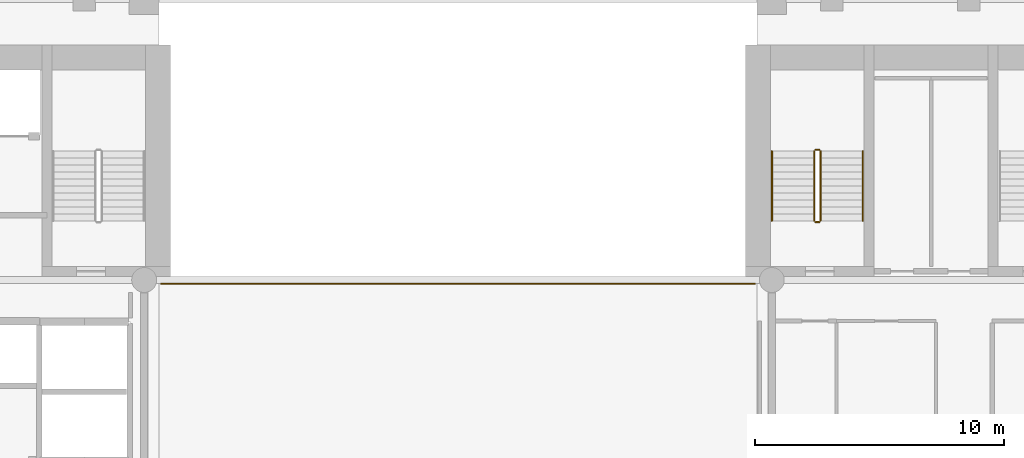
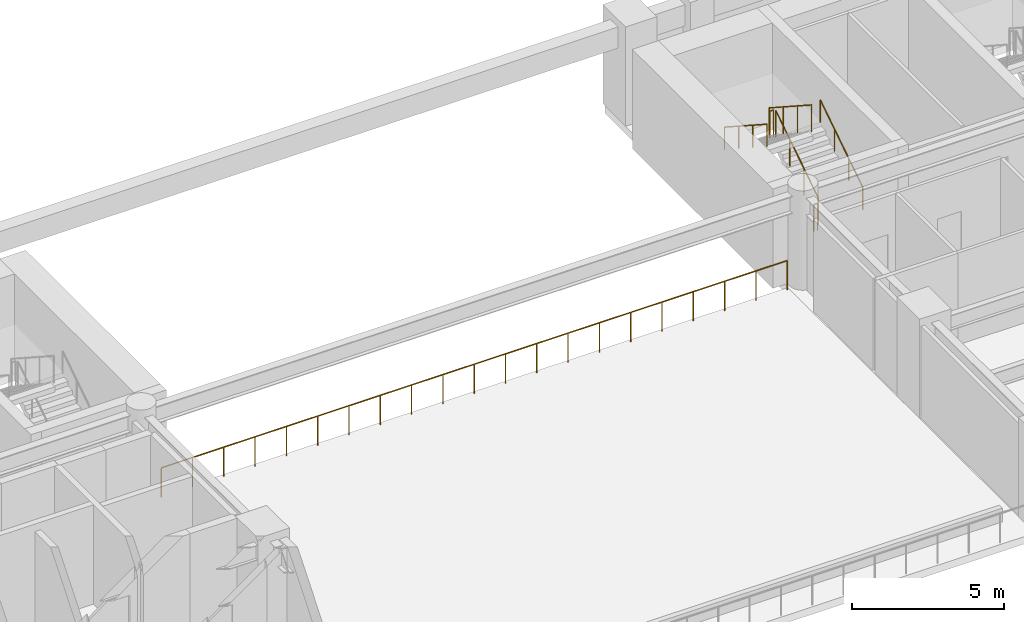
# One storey, part 11 of 12: 7 railings.
"""IFC4 building model written with IfcOpenShell, lengths in metres."""

import ifcopenshell
import ifcopenshell.guid

model = None  # the IFC model being written
_history = None  # IfcOwnerHistory: only IFC2X3 demands one
_inside = {}  # id of a spatial element -> (the spatial element, [elements in it])
_under = {}  # id of a project, library or spatial element -> (it, [spatial elements below it])
_declared = {}  # id of a project -> (the project, [libraries it declares])
_typed = {}  # id of a type object -> (the type object, [elements of that type])
_made_of = {}  # id of a material, layer set ... -> (it, [elements and type objects made of it])


def new_model(schema):
    """Start an empty IFC model of exactly this schema.

    Asked for "IFC4X3", IfcOpenShell would pick the latest addendum, in which some entities
    have other attributes; the version numbers below select the first issue.
    IFC2X3 requires an IfcOwnerHistory on every rooted entity: one is made here for all.
    """
    global model, _history
    if schema == "IFC4X3":
        model = ifcopenshell.file(schema_version=(4, 3, 0, 0))
    else:
        model = ifcopenshell.file(schema=schema)
    _inside.clear()
    _under.clear()
    _declared.clear()
    _typed.clear()
    _made_of.clear()
    _history = None
    if model.schema == "IFC2X3":
        org = make("IfcOrganization", Name="unknown")
        user = make(
            "IfcPersonAndOrganization",
            ThePerson=make("IfcPerson", FamilyName="unknown"),
            TheOrganization=org,
        )
        app = make(
            "IfcApplication",
            ApplicationDeveloper=org,
            Version="unknown",
            ApplicationFullName="unknown",
            ApplicationIdentifier="unknown",
        )
        _history = make(
            "IfcOwnerHistory",
            OwningUser=user,
            OwningApplication=app,
            ChangeAction="ADDED",
            CreationDate=0,
        )
    return model


def make(cls, **values):
    """One entity of the class cls with the attributes given. An attribute that is None is left unset."""
    return model.create_entity(
        cls, **{name: value for name, value in values.items() if value is not None}
    )


def rooted(cls, **values):
    """An entity with a GlobalId (a new one), such as an element, a storey or a relation."""
    return make(cls, GlobalId=ifcopenshell.guid.new(), OwnerHistory=_history, **values)


def si_unit(unit_type, name, prefix=None):
    """IfcSIUnit, for example si_unit("LENGTHUNIT", "METRE", prefix="MILLI")."""
    return make("IfcSIUnit", UnitType=unit_type, Prefix=prefix, Name=name)


def assignment(units):
    """IfcUnitAssignment: the units of a project."""
    return None if units is None else make("IfcUnitAssignment", Units=units)


def point(xyz):
    """IfcCartesianPoint."""
    return None if xyz is None else make("IfcCartesianPoint", Coordinates=xyz)


def direction(xyz):
    """IfcDirection."""
    return None if xyz is None else make("IfcDirection", DirectionRatios=xyz)


def frame(location, z_axis=None, x_axis=None):
    """IfcAxis2Placement3D, a coordinate frame: its origin and axes. An axis left out is left unset."""
    return make(
        "IfcAxis2Placement3D",
        Location=point(location),
        Axis=direction(z_axis),
        RefDirection=direction(x_axis),
    )


def frame_2d(location, x_axis=None):
    """IfcAxis2Placement2D, a coordinate frame in the plane: its origin and x axis."""
    return make(
        "IfcAxis2Placement2D", Location=point(location), RefDirection=direction(x_axis)
    )


def origin():
    """The frame at (0, 0, 0) with its axes left unset."""
    return frame((0.0, 0.0, 0.0))


def origin_2d():
    """The frame at (0, 0) in the plane with its x axis left unset."""
    return frame_2d((0.0, 0.0))


def place(relative_to, where):
    """IfcLocalPlacement: puts the frame where relative to a parent placement (None: the world)."""
    return make(
        "IfcLocalPlacement", PlacementRelTo=relative_to, RelativePlacement=where
    )


def context(
    kind, dimensions, precision=None, world=None, true_north=None, identifier=None
):
    """IfcGeometricRepresentationContext, for example the 3D "Model" context."""
    return make(
        "IfcGeometricRepresentationContext",
        ContextIdentifier=identifier,
        ContextType=kind,
        CoordinateSpaceDimension=dimensions,
        Precision=precision,
        WorldCoordinateSystem=world,
        TrueNorth=true_north,
    )


def subcontext(parent, identifier, kind, view, scale=None):
    """IfcGeometricRepresentationSubContext, for example "Body" below "Model"."""
    return make(
        "IfcGeometricRepresentationSubContext",
        ContextIdentifier=identifier,
        ContextType=kind,
        ParentContext=parent,
        TargetScale=scale,
        TargetView=view,
    )


def project(units=None, contexts=None):
    """IfcProject with its units and contexts."""
    return rooted(
        "IfcProject",
        Name="project",
        RepresentationContexts=contexts,
        UnitsInContext=assignment(units),
    )


def spatial(cls, under=None, at=None, **own):
    """A site, building, storey or space (cls), placed at a placement, below another one or the project."""
    s = rooted(cls, ObjectPlacement=at, **own)
    if under is not None:
        _under.setdefault(under.id(), (under, []))[1].append(s)
    return s


def profile(cls, at=None, kind="AREA", **sizes):
    """A parametric profile (cls). Its sizes go by their IFC names, for example OverallWidth=200.0."""
    return make(cls, ProfileType=kind, Position=at, **sizes)


def circle(**sizes):
    """IfcCircleProfileDef."""
    return profile("IfcCircleProfileDef", **sizes)


def extrude(swept, where, along, depth):
    """IfcExtrudedAreaSolid: the profile swept, set in the frame where, extruded along a direction by depth."""
    return make(
        "IfcExtrudedAreaSolid",
        SweptArea=swept,
        Position=where,
        ExtrudedDirection=direction(along),
        Depth=depth,
    )


def shape(context_of_items, identifier, shape_type, items):
    """IfcShapeRepresentation: the items that make up one representation, for example the "Body"."""
    return make(
        "IfcShapeRepresentation",
        ContextOfItems=context_of_items,
        RepresentationIdentifier=identifier,
        RepresentationType=shape_type,
        Items=items,
    )


def material(Name=None, Category=None):
    """IfcMaterial."""
    return make("IfcMaterial", Name=Name, Category=Category)


def made_of(thing, what):
    """Note that an element or type object is made of a material, layer set ...; save() writes the relation."""
    if what is not None:
        _made_of.setdefault(what.id(), (what, []))[1].append(thing)
    return thing


def type_object(cls, material=None, **own):
    """A type object (cls), such as IfcWallType, which elements share."""
    return made_of(rooted(cls, **own), material)


def element(
    cls,
    number,
    at=None,
    inside=None,
    cuts=None,
    type_object=None,
    material=None,
    context=None,
    identifier="Body",
    shape_type=None,
    held_by="IfcProductDefinitionShape",
    body=None,
    shapes=None,
    **own,
):
    """One element of the class cls, such as IfcWall. Its Tag is "e" and its number.

    at: its placement. inside: the storey or other place that contains it. cuts: it is an
    opening in that element (IfcRelVoidsElement). A single representation is given by context,
    identifier, shape_type and body (its items); several are given by shapes. held_by: the class
    of the entity that holds the representations. save() writes the other relations.
    """
    e = rooted(cls, Tag="e%d" % number, ObjectPlacement=at, **own)
    if body is not None:
        shapes = [shape(context, identifier, shape_type, body)]
    if shapes is not None:
        e.Representation = make(held_by, Representations=shapes)
    if inside is not None:
        _inside.setdefault(inside.id(), (inside, []))[1].append(e)
    if cuts is not None:
        rooted(
            "IfcRelVoidsElement", RelatingBuildingElement=cuts, RelatedOpeningElement=e
        )
    if type_object is not None:
        _typed.setdefault(type_object.id(), (type_object, []))[1].append(e)
    return made_of(e, material)


def aggregate(whole, parts):
    """IfcRelAggregates: a whole, such as a stair, and the parts it consists of."""
    return rooted("IfcRelAggregates", RelatingObject=whole, RelatedObjects=parts)


def save(model, path):
    """Write the relations noted so far, then the file.

    IfcRelAggregates (storeys below a building ...), IfcRelContainedInSpatialStructure (elements
    in a storey), IfcRelDefinesByType, IfcRelAssociatesMaterial and IfcRelDeclares: one each for
    every whole, place, type object, material and project.
    """
    for whole, parts in _under.values():
        aggregate(whole, parts)
    for where, things in _inside.values():
        rooted(
            "IfcRelContainedInSpatialStructure",
            RelatedElements=things,
            RelatingStructure=where,
        )
    for kind, things in _typed.values():
        rooted("IfcRelDefinesByType", RelatedObjects=things, RelatingType=kind)
    for what, things in _made_of.values():
        rooted("IfcRelAssociatesMaterial", RelatedObjects=things, RelatingMaterial=what)
    for by, libraries in _declared.values():
        rooted("IfcRelDeclares", RelatingContext=by, RelatedDefinitions=libraries)
    model.write(path)


model = new_model("IFC4")

# Units and contexts
model_context = context("Model", 3, precision=1e-05, world=origin(), true_north=direction((0.0, 1.0)))
body_context = subcontext(model_context, "Body", "Model", "MODEL_VIEW")
ifc_project = project(units=[si_unit("LENGTHUNIT", "METRE"), si_unit("AREAUNIT", "SQUARE_METRE"), si_unit("VOLUMEUNIT", "CUBIC_METRE"), si_unit("PLANEANGLEUNIT", "RADIAN"), si_unit("MASSUNIT", "GRAM", prefix="KILO")], contexts=[model_context])

# Site, building, storey
site_placement = place(None, origin())
site = spatial("IfcSite", under=ifc_project, at=site_placement, CompositionType="ELEMENT")
building_placement = place(site_placement, origin())
building = spatial("IfcBuilding", under=site, at=building_placement, Name="Sulina Concourse Tower", CompositionType="ELEMENT")
storey_placement = place(building_placement, frame((0.0, 0.0, 38.60009765625)))
storey = spatial("IfcBuildingStorey", under=building, at=storey_placement, Name="L09", CompositionType="ELEMENT", Elevation=38.60009765625)

# Railings
ifc_material_1 = material(Name="Galvanised steel railing", Category="steel")
railing_type_1 = type_object("IfcRailingType", Name="Core Stair Steel Guardrail 1150mm", PredefinedType="GUARDRAIL", material=ifc_material_1)
railing_1_placement = place(storey_placement, frame((43.554931640625, 36.375, 0.181640625)))
element("IfcRailing", 1, at=railing_1_placement, inside=storey, type_object=railing_type_1, Name="L09 ST-3 stair guard 1", PredefinedType="GUARDRAIL", context=body_context, shape_type="SweptSolid", body=[
    extrude(circle(Radius=0.02392578125, at=origin_2d()), frame((0.0, 0.0, 1.076171875), z_axis=(0.0, 0.838672427954, 0.544636170843), x_axis=(-1.0, 0.0, 0.0)), (0.0, 0.0, 1.0), 3.338623046875),
    extrude(circle(Radius=0.02099609375, at=origin_2d()), origin(), (0.0, 0.0, 1.0), 1.052001953125),
    extrude(circle(Radius=0.02099609375, at=origin_2d()), frame((0.0, 0.933349609375, 0.606201171875)), (0.0, 0.0, 1.0), 1.052001953125),
    extrude(circle(Radius=0.02099609375, at=origin_2d()), frame((0.0, 1.86669921875, 1.212158203125)), (0.0, 0.0, 1.0), 1.052001953125),
    extrude(circle(Radius=0.02099609375, at=origin_2d()), frame((0.0, 2.800048828125, 1.818359375)), (0.0, 0.0, 1.0), 1.052001953125),
])
railing_2_placement = place(storey_placement, frame((43.5048828125, 39.22509765625, 2.0)))
element("IfcRailing", 2, at=railing_2_placement, inside=storey, type_object=railing_type_1, Name="L09 ST-3 stair guard 2", PredefinedType="GUARDRAIL", context=body_context, shape_type="SweptSolid", body=[
    extrude(circle(Radius=0.02392578125, at=origin_2d()), frame((0.0, 0.0, 1.076171875), z_axis=(-1.0, 0.0, 0.0), x_axis=(0.0, -1.0, 0.0)), (0.0, 0.0, 1.0), 0.14990234375),
    extrude(circle(Radius=0.02099609375, at=origin_2d()), origin(), (0.0, 0.0, 1.0), 1.052001953125),
    extrude(circle(Radius=0.02099609375, at=origin_2d()), frame((-0.14990234375, 0.0, 0.0)), (0.0, 0.0, 1.0), 1.052001953125),
])
railing_3_placement = place(storey_placement, frame((43.304931640625, 39.175048828125, 2.181640625)))
element("IfcRailing", 3, at=railing_3_placement, inside=storey, type_object=railing_type_1, Name="L09 ST-3 stair guard 3", PredefinedType="GUARDRAIL", context=body_context, shape_type="SweptSolid", body=[
    extrude(circle(Radius=0.02392578125, at=origin_2d()), frame((0.0, 0.0, 1.076171875), z_axis=(0.0, -0.838672427954, 0.544636170843), x_axis=(1.0, 0.0, 0.0)), (0.0, 0.0, 1.0), 3.338623046875),
    extrude(circle(Radius=0.02099609375, at=origin_2d()), origin(), (0.0, 0.0, 1.0), 1.052001953125),
    extrude(circle(Radius=0.02099609375, at=origin_2d()), frame((0.0, -0.933349609375, 0.606201171875)), (0.0, 0.0, 1.0), 1.052001953125),
    extrude(circle(Radius=0.02099609375, at=origin_2d()), frame((0.0, -1.86669921875, 1.212158203125)), (0.0, 0.0, 1.0), 1.052001953125),
    extrude(circle(Radius=0.02099609375, at=origin_2d()), frame((0.0, -2.800048828125, 1.818359375)), (0.0, 0.0, 1.0), 1.052001953125),
])
railing_4_placement = place(storey_placement, frame((43.5048828125, 36.324951171875, 0.0)))
element("IfcRailing", 4, at=railing_4_placement, inside=storey, type_object=railing_type_1, Name="L09 ST-3 stair guard 4", PredefinedType="GUARDRAIL", context=body_context, shape_type="SweptSolid", body=[
    extrude(circle(Radius=0.02392578125, at=origin_2d()), frame((0.0, 0.0, 1.076171875), z_axis=(-1.0, 0.0, 0.0), x_axis=(0.0, -1.0, 0.0)), (0.0, 0.0, 1.0), 0.14990234375),
    extrude(circle(Radius=0.02099609375, at=origin_2d()), origin(), (0.0, 0.0, 1.0), 1.052001953125),
    extrude(circle(Radius=0.02099609375, at=origin_2d()), frame((-0.14990234375, 0.0, 0.0)), (0.0, 0.0, 1.0), 1.052001953125),
])
ifc_material_2 = material(Name="Galvanised steel railing", Category="steel")
railing_type_2 = type_object("IfcRailingType", Name="Stair Wall Steel Handrail 920mm", PredefinedType="HANDRAIL", material=ifc_material_2)
railing_5_placement = place(storey_placement, frame((45.2548828125, 36.375, 0.181640625)))
element("IfcRailing", 5, at=railing_5_placement, inside=storey, type_object=railing_type_2, Name="L09 ST-3 stair handrail 1", PredefinedType="HANDRAIL", context=body_context, shape_type="SweptSolid", body=[
    extrude(circle(Radius=0.02392578125, at=origin_2d()), frame((0.0, 0.0, 0.89599609375), z_axis=(0.0, 0.838672427954, 0.544636170843), x_axis=(-1.0, 0.0, 0.0)), (0.0, 0.0, 1.0), 3.338623046875),
    extrude(circle(Radius=0.02099609375, at=origin_2d()), origin(), (0.0, 0.0, 1.0), 0.871826171875),
    extrude(circle(Radius=0.02099609375, at=origin_2d()), frame((0.0, 0.933349609375, 0.606201171875)), (0.0, 0.0, 1.0), 0.871826171875),
    extrude(circle(Radius=0.02099609375, at=origin_2d()), frame((0.0, 1.86669921875, 1.212158203125)), (0.0, 0.0, 1.0), 0.871826171875),
    extrude(circle(Radius=0.02099609375, at=origin_2d()), frame((0.0, 2.800048828125, 1.818359375)), (0.0, 0.0, 1.0), 0.871826171875),
])
railing_6_placement = place(storey_placement, frame((41.60498046875, 39.175048828125, 2.181640625)))
element("IfcRailing", 6, at=railing_6_placement, inside=storey, type_object=railing_type_2, Name="L09 ST-3 stair handrail 2", PredefinedType="HANDRAIL", context=body_context, shape_type="SweptSolid", body=[
    extrude(circle(Radius=0.02392578125, at=origin_2d()), frame((0.0, 0.0, 0.89599609375), z_axis=(0.0, -0.838672427954, 0.544636170843), x_axis=(1.0, 0.0, 0.0)), (0.0, 0.0, 1.0), 3.338623046875),
    extrude(circle(Radius=0.02099609375, at=origin_2d()), origin(), (0.0, 0.0, 1.0), 0.871826171875),
    extrude(circle(Radius=0.02099609375, at=origin_2d()), frame((0.0, -0.933349609375, 0.606201171875)), (0.0, 0.0, 1.0), 0.871826171875),
    extrude(circle(Radius=0.02099609375, at=origin_2d()), frame((0.0, -1.86669921875, 1.212158203125)), (0.0, 0.0, 1.0), 0.871826171875),
    extrude(circle(Radius=0.02099609375, at=origin_2d()), frame((0.0, -2.800048828125, 1.818359375)), (0.0, 0.0, 1.0), 0.871826171875),
])
ifc_material_3 = material(Name="Laminated glass balustrade and steel post", Category="steel")
railing_type_3 = type_object("IfcRailingType", Name="Terrace & Sky-Pool Laminated Guardrail 1200mm", PredefinedType="GUARDRAIL", material=ifc_material_3)
railing_7_placement = place(storey_placement, frame((17.080078125, 33.85009765625, 0.0)))
element("IfcRailing", 7, at=railing_7_placement, inside=storey, type_object=railing_type_3, Name="L09 terrace guardrail TER-LP3-2", PredefinedType="GUARDRAIL", context=body_context, shape_type="SweptSolid", body=[
    extrude(circle(Radius=0.02490234375, at=origin_2d()), frame((0.0, 0.0, 1.1748046875), z_axis=(1.0, 0.0, 0.0), x_axis=(0.0, 1.0, 0.0)), (0.0, 0.0, 1.0), 23.83984375),
    extrude(circle(Radius=0.02099609375, at=origin_2d()), origin(), (0.0, 0.0, 1.0), 1.14990234375),
    extrude(circle(Radius=0.02099609375, at=origin_2d()), frame((1.19189453125, 0.0, 0.0)), (0.0, 0.0, 1.0), 1.14990234375),
    extrude(circle(Radius=0.02099609375, at=origin_2d()), frame((2.384033203125, 0.0, 0.0)), (0.0, 0.0, 1.0), 1.14990234375),
    extrude(circle(Radius=0.02099609375, at=origin_2d()), frame((3.575927734375, 0.0, 0.0)), (0.0, 0.0, 1.0), 1.14990234375),
    extrude(circle(Radius=0.02099609375, at=origin_2d()), frame((4.76806640625, 0.0, 0.0)), (0.0, 0.0, 1.0), 1.14990234375),
    extrude(circle(Radius=0.02099609375, at=origin_2d()), frame((5.9599609375, 0.0, 0.0)), (0.0, 0.0, 1.0), 1.14990234375),
    extrude(circle(Radius=0.02099609375, at=origin_2d()), frame((7.15185546875, 0.0, 0.0)), (0.0, 0.0, 1.0), 1.14990234375),
    extrude(circle(Radius=0.02099609375, at=origin_2d()), frame((8.343994140625, 0.0, 0.0)), (0.0, 0.0, 1.0), 1.14990234375),
    extrude(circle(Radius=0.02099609375, at=origin_2d()), frame((9.535888671875, 0.0, 0.0)), (0.0, 0.0, 1.0), 1.14990234375),
    extrude(circle(Radius=0.02099609375, at=origin_2d()), frame((10.72802734375, 0.0, 0.0)), (0.0, 0.0, 1.0), 1.14990234375),
    extrude(circle(Radius=0.02099609375, at=origin_2d()), frame((11.919921875, 0.0, 0.0)), (0.0, 0.0, 1.0), 1.14990234375),
    extrude(circle(Radius=0.02099609375, at=origin_2d()), frame((13.11181640625, 0.0, 0.0)), (0.0, 0.0, 1.0), 1.14990234375),
    extrude(circle(Radius=0.02099609375, at=origin_2d()), frame((14.303955078125, 0.0, 0.0)), (0.0, 0.0, 1.0), 1.14990234375),
    extrude(circle(Radius=0.02099609375, at=origin_2d()), frame((15.495849609375, 0.0, 0.0)), (0.0, 0.0, 1.0), 1.14990234375),
    extrude(circle(Radius=0.02099609375, at=origin_2d()), frame((16.68798828125, 0.0, 0.0)), (0.0, 0.0, 1.0), 1.14990234375),
    extrude(circle(Radius=0.02099609375, at=origin_2d()), frame((17.8798828125, 0.0, 0.0)), (0.0, 0.0, 1.0), 1.14990234375),
    extrude(circle(Radius=0.02099609375, at=origin_2d()), frame((19.07177734375, 0.0, 0.0)), (0.0, 0.0, 1.0), 1.14990234375),
    extrude(circle(Radius=0.02099609375, at=origin_2d()), frame((20.263916015625, 0.0, 0.0)), (0.0, 0.0, 1.0), 1.14990234375),
    extrude(circle(Radius=0.02099609375, at=origin_2d()), frame((21.455810546875, 0.0, 0.0)), (0.0, 0.0, 1.0), 1.14990234375),
    extrude(circle(Radius=0.02099609375, at=origin_2d()), frame((22.64794921875, 0.0, 0.0)), (0.0, 0.0, 1.0), 1.14990234375),
    extrude(circle(Radius=0.02099609375, at=origin_2d()), frame((23.83984375, 0.0, 0.0)), (0.0, 0.0, 1.0), 1.14990234375),
])

save(model, "model.ifc")
